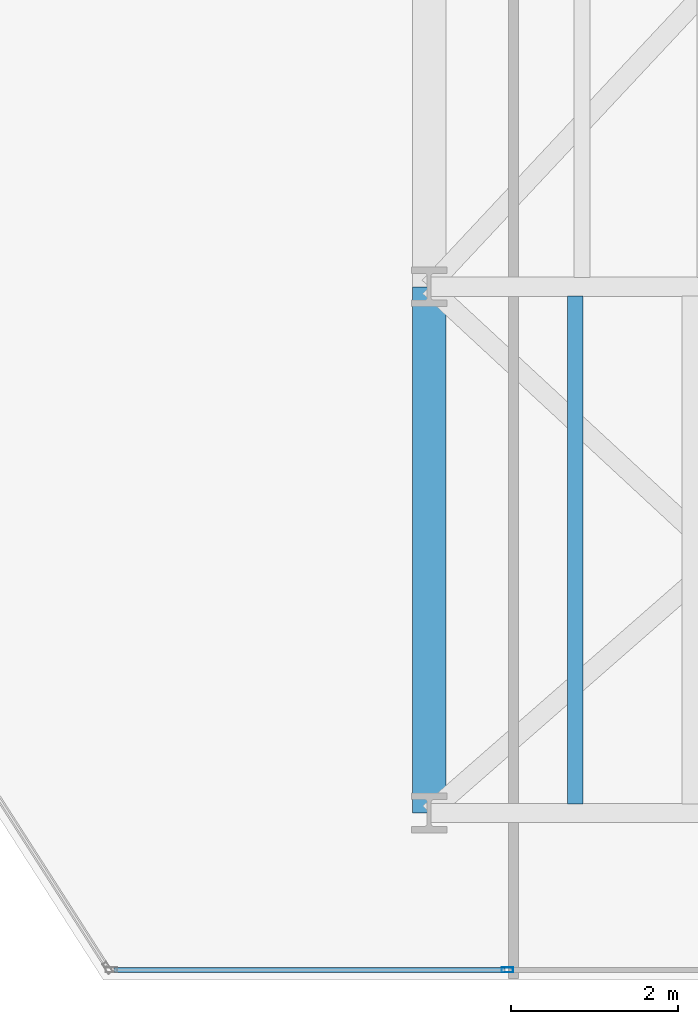
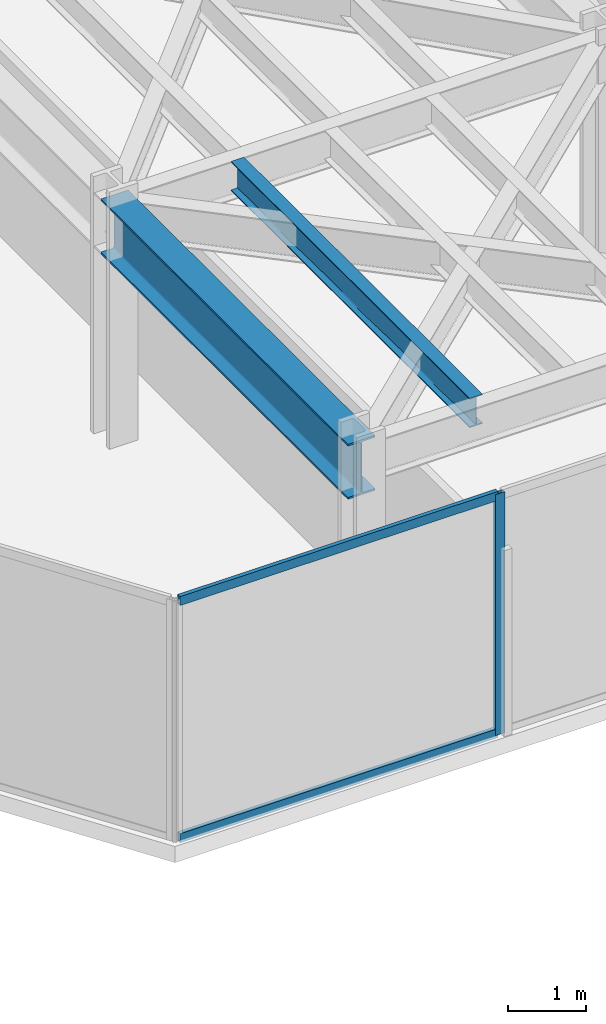
# One storey, part 16 of 26: 3 members, 2 beams, 1 element without a shape of its own.
"""IFC4 building model written with IfcOpenShell, lengths in metres."""

import ifcopenshell
import ifcopenshell.guid

model = None  # the IFC model being written
_history = None  # IfcOwnerHistory: only IFC2X3 demands one
_inside = {}  # id of a spatial element -> (the spatial element, [elements in it])
_under = {}  # id of a project, library or spatial element -> (it, [spatial elements below it])
_declared = {}  # id of a project -> (the project, [libraries it declares])
_typed = {}  # id of a type object -> (the type object, [elements of that type])
_made_of = {}  # id of a material, layer set ... -> (it, [elements and type objects made of it])


def new_model(schema):
    """Start an empty IFC model of exactly this schema.

    Asked for "IFC4X3", IfcOpenShell would pick the latest addendum, in which some entities
    have other attributes; the version numbers below select the first issue.
    IFC2X3 requires an IfcOwnerHistory on every rooted entity: one is made here for all.
    """
    global model, _history
    if schema == "IFC4X3":
        model = ifcopenshell.file(schema_version=(4, 3, 0, 0))
    else:
        model = ifcopenshell.file(schema=schema)
    _inside.clear()
    _under.clear()
    _declared.clear()
    _typed.clear()
    _made_of.clear()
    _history = None
    if model.schema == "IFC2X3":
        org = make("IfcOrganization", Name="unknown")
        user = make(
            "IfcPersonAndOrganization",
            ThePerson=make("IfcPerson", FamilyName="unknown"),
            TheOrganization=org,
        )
        app = make(
            "IfcApplication",
            ApplicationDeveloper=org,
            Version="unknown",
            ApplicationFullName="unknown",
            ApplicationIdentifier="unknown",
        )
        _history = make(
            "IfcOwnerHistory",
            OwningUser=user,
            OwningApplication=app,
            ChangeAction="ADDED",
            CreationDate=0,
        )
    return model


def make(cls, **values):
    """One entity of the class cls with the attributes given. An attribute that is None is left unset."""
    return model.create_entity(
        cls, **{name: value for name, value in values.items() if value is not None}
    )


def rooted(cls, **values):
    """An entity with a GlobalId (a new one), such as an element, a storey or a relation."""
    return make(cls, GlobalId=ifcopenshell.guid.new(), OwnerHistory=_history, **values)


def si_unit(unit_type, name, prefix=None):
    """IfcSIUnit, for example si_unit("LENGTHUNIT", "METRE", prefix="MILLI")."""
    return make("IfcSIUnit", UnitType=unit_type, Prefix=prefix, Name=name)


def assignment(units):
    """IfcUnitAssignment: the units of a project."""
    return None if units is None else make("IfcUnitAssignment", Units=units)


def point(xyz):
    """IfcCartesianPoint."""
    return None if xyz is None else make("IfcCartesianPoint", Coordinates=xyz)


def direction(xyz):
    """IfcDirection."""
    return None if xyz is None else make("IfcDirection", DirectionRatios=xyz)


def frame(location, z_axis=None, x_axis=None):
    """IfcAxis2Placement3D, a coordinate frame: its origin and axes. An axis left out is left unset."""
    return make(
        "IfcAxis2Placement3D",
        Location=point(location),
        Axis=direction(z_axis),
        RefDirection=direction(x_axis),
    )


def frame_2d(location, x_axis=None):
    """IfcAxis2Placement2D, a coordinate frame in the plane: its origin and x axis."""
    return make(
        "IfcAxis2Placement2D", Location=point(location), RefDirection=direction(x_axis)
    )


def origin():
    """The frame at (0, 0, 0) with its axes left unset."""
    return frame((0.0, 0.0, 0.0))


def origin_2d():
    """The frame at (0, 0) in the plane with its x axis left unset."""
    return frame_2d((0.0, 0.0))


def place(relative_to, where):
    """IfcLocalPlacement: puts the frame where relative to a parent placement (None: the world)."""
    return make(
        "IfcLocalPlacement", PlacementRelTo=relative_to, RelativePlacement=where
    )


def context(
    kind, dimensions, precision=None, world=None, true_north=None, identifier=None
):
    """IfcGeometricRepresentationContext, for example the 3D "Model" context."""
    return make(
        "IfcGeometricRepresentationContext",
        ContextIdentifier=identifier,
        ContextType=kind,
        CoordinateSpaceDimension=dimensions,
        Precision=precision,
        WorldCoordinateSystem=world,
        TrueNorth=true_north,
    )


def subcontext(parent, identifier, kind, view, scale=None):
    """IfcGeometricRepresentationSubContext, for example "Body" below "Model"."""
    return make(
        "IfcGeometricRepresentationSubContext",
        ContextIdentifier=identifier,
        ContextType=kind,
        ParentContext=parent,
        TargetScale=scale,
        TargetView=view,
    )


def project(units=None, contexts=None):
    """IfcProject with its units and contexts."""
    return rooted(
        "IfcProject",
        Name="project",
        RepresentationContexts=contexts,
        UnitsInContext=assignment(units),
    )


def spatial(cls, under=None, at=None, **own):
    """A site, building, storey or space (cls), placed at a placement, below another one or the project."""
    s = rooted(cls, ObjectPlacement=at, **own)
    if under is not None:
        _under.setdefault(under.id(), (under, []))[1].append(s)
    return s


def profile(cls, at=None, kind="AREA", **sizes):
    """A parametric profile (cls). Its sizes go by their IFC names, for example OverallWidth=200.0."""
    return make(cls, ProfileType=kind, Position=at, **sizes)


def hollow_rectangle(**sizes):
    """IfcRectangleHollowProfileDef."""
    return profile("IfcRectangleHollowProfileDef", **sizes)


def i_section(**sizes):
    """IfcIShapeProfileDef."""
    return profile("IfcIShapeProfileDef", **sizes)


def extrude(swept, where, along, depth):
    """IfcExtrudedAreaSolid: the profile swept, set in the frame where, extruded along a direction by depth."""
    return make(
        "IfcExtrudedAreaSolid",
        SweptArea=swept,
        Position=where,
        ExtrudedDirection=direction(along),
        Depth=depth,
    )


def shape(context_of_items, identifier, shape_type, items):
    """IfcShapeRepresentation: the items that make up one representation, for example the "Body"."""
    return make(
        "IfcShapeRepresentation",
        ContextOfItems=context_of_items,
        RepresentationIdentifier=identifier,
        RepresentationType=shape_type,
        Items=items,
    )


def material(Name=None, Category=None):
    """IfcMaterial."""
    return make("IfcMaterial", Name=Name, Category=Category)


def layer(
    of_material, thickness, ventilated=None, Name=None, Category=None, Priority=None
):
    """IfcMaterialLayer: one layer of a wall or slab, of a material (None: an air gap)."""
    return make(
        "IfcMaterialLayer",
        Material=of_material,
        LayerThickness=thickness,
        IsVentilated=ventilated,
        Name=Name,
        Category=Category,
        Priority=Priority,
    )


def layer_set(layers, Name=None):
    """IfcMaterialLayerSet."""
    return make("IfcMaterialLayerSet", MaterialLayers=layers, LayerSetName=Name)


def material_profile(
    of_material, cross_section, Name=None, Category=None, Priority=None
):
    """IfcMaterialProfile: a cross section and its material."""
    return make(
        "IfcMaterialProfile",
        Name=Name,
        Material=of_material,
        Profile=cross_section,
        Priority=Priority,
        Category=Category,
    )


def profile_set(profiles, Name=None, composite=None):
    """IfcMaterialProfileSet."""
    return make(
        "IfcMaterialProfileSet",
        Name=Name,
        MaterialProfiles=profiles,
        CompositeProfile=composite,
    )


def made_of(thing, what):
    """Note that an element or type object is made of a material, layer set ...; save() writes the relation."""
    if what is not None:
        _made_of.setdefault(what.id(), (what, []))[1].append(thing)
    return thing


def type_object(cls, material=None, **own):
    """A type object (cls), such as IfcWallType, which elements share."""
    return made_of(rooted(cls, **own), material)


def element(
    cls,
    number,
    at=None,
    inside=None,
    cuts=None,
    type_object=None,
    material=None,
    context=None,
    identifier="Body",
    shape_type=None,
    held_by="IfcProductDefinitionShape",
    body=None,
    shapes=None,
    **own,
):
    """One element of the class cls, such as IfcWall. Its Tag is "e" and its number.

    at: its placement. inside: the storey or other place that contains it. cuts: it is an
    opening in that element (IfcRelVoidsElement). A single representation is given by context,
    identifier, shape_type and body (its items); several are given by shapes. held_by: the class
    of the entity that holds the representations. save() writes the other relations.
    """
    e = rooted(cls, Tag="e%d" % number, ObjectPlacement=at, **own)
    if body is not None:
        shapes = [shape(context, identifier, shape_type, body)]
    if shapes is not None:
        e.Representation = make(held_by, Representations=shapes)
    if inside is not None:
        _inside.setdefault(inside.id(), (inside, []))[1].append(e)
    if cuts is not None:
        rooted(
            "IfcRelVoidsElement", RelatingBuildingElement=cuts, RelatedOpeningElement=e
        )
    if type_object is not None:
        _typed.setdefault(type_object.id(), (type_object, []))[1].append(e)
    return made_of(e, material)


def aggregate(whole, parts):
    """IfcRelAggregates: a whole, such as a stair, and the parts it consists of."""
    return rooted("IfcRelAggregates", RelatingObject=whole, RelatedObjects=parts)


def save(model, path):
    """Write the relations noted so far, then the file.

    IfcRelAggregates (storeys below a building ...), IfcRelContainedInSpatialStructure (elements
    in a storey), IfcRelDefinesByType, IfcRelAssociatesMaterial and IfcRelDeclares: one each for
    every whole, place, type object, material and project.
    """
    for whole, parts in _under.values():
        aggregate(whole, parts)
    for where, things in _inside.values():
        rooted(
            "IfcRelContainedInSpatialStructure",
            RelatedElements=things,
            RelatingStructure=where,
        )
    for kind, things in _typed.values():
        rooted("IfcRelDefinesByType", RelatedObjects=things, RelatingType=kind)
    for what, things in _made_of.values():
        rooted("IfcRelAssociatesMaterial", RelatedObjects=things, RelatingMaterial=what)
    for by, libraries in _declared.values():
        rooted("IfcRelDeclares", RelatingContext=by, RelatedDefinitions=libraries)
    model.write(path)


model = new_model("IFC4")

# Units and contexts
model_context = context("Model", 3, precision=1e-05, world=origin(), true_north=direction((0.0, 1.0)))
body_context = subcontext(model_context, "Body", "Model", "MODEL_VIEW")
ifc_project = project(units=[si_unit("LENGTHUNIT", "METRE"), si_unit("AREAUNIT", "SQUARE_METRE"), si_unit("VOLUMEUNIT", "CUBIC_METRE"), si_unit("PLANEANGLEUNIT", "RADIAN"), si_unit("MASSUNIT", "GRAM", prefix="KILO")], contexts=[model_context])

# Site, building, storey
site_placement = place(None, origin())
site = spatial("IfcSite", under=ifc_project, at=site_placement, CompositionType="ELEMENT")
building_placement = place(site_placement, origin())
building = spatial("IfcBuilding", under=site, at=building_placement, Name="Kravanh Interchange Tower", CompositionType="ELEMENT")
storey_placement = place(building_placement, frame((0.0, 0.0, 116.0)))
storey = spatial("IfcBuildingStorey", under=building, at=storey_placement, Name="L27", CompositionType="ELEMENT", Elevation=116.0)

# Curtain wall, members
ifc_material_1 = material(Name="Anodised Bronze Aluminium", Category="aluminium")
ifc_layer = layer(ifc_material_1, 0.179931640625)
ifc_layer_set = layer_set([ifc_layer], Name="Unitised Curtain Wall System CW-Z2 Mid Office")
curtain_wall_type = type_object("IfcCurtainWallType", Name="Unitised Curtain Wall System CW-Z2 Mid Office", PredefinedType="NOTDEFINED", material=ifc_layer_set)
curtain_wall_placement = place(storey_placement, origin())
curtain_wall = element("IfcCurtainWall", 1, at=curtain_wall_placement, inside=storey, type_object=curtain_wall_type, Name="L27 Unitised Curtain Wall CW-L27-03", PredefinedType="NOTDEFINED")
ifc_material_2 = material(Name="Anodised Bronze Aluminium", Category="aluminium")
ifc_material_profile_1 = material_profile(ifc_material_2, hollow_rectangle(XDim=0.06005859375, YDim=0.139892578125, WallThickness=0.00390625, at=origin_2d()), Name="ALU60X140X4")
ifc_profile_set_1 = profile_set([ifc_material_profile_1], Name="Anodised Bronze Aluminium")
member_type_1 = type_object("IfcMemberType", Name="Curtain Wall Mullion ALU60X140X4 Bronze", PredefinedType="MULLION", material=ifc_profile_set_1)
member_1_placement = place(storey_placement, frame((56.93798828125, 6.320068359375, 0.0), z_axis=(0.0, 0.0, 1.0), x_axis=(0.0, -1.0, 0.0)))
member_1 = element("IfcMember", 2, at=member_1_placement, type_object=member_type_1, Name="CW-Z2 mullion 2", PredefinedType="MULLION", context=body_context, shape_type="SweptSolid", body=[
    extrude(hollow_rectangle(XDim=0.06005859375, YDim=0.139892578125, WallThickness=0.00390625, at=origin_2d()), origin(), (0.0, 0.0, 1.0), 3.75),
])
ifc_material_3 = material(Name="Anodised Bronze Aluminium", Category="aluminium")
ifc_material_profile_2 = material_profile(ifc_material_3, hollow_rectangle(XDim=0.06005859375, YDim=0.139892578125, WallThickness=0.00390625, at=origin_2d()), Name="ALU60X140X4")
ifc_profile_set_2 = profile_set([ifc_material_profile_2], Name="Anodised Bronze Aluminium")
member_type_2 = type_object("IfcMemberType", Name="Curtain Wall Transom ALU60X140X4 Bronze", PredefinedType="USERDEFINED", material=ifc_profile_set_2)
member_2_placement = place(storey_placement, frame((56.907958984375, 6.320068359375, 0.030029296875), z_axis=(-1.0, 0.0, 0.0), x_axis=(0.0, -1.0, 0.0)))
member_2 = element("IfcMember", 3, at=member_2_placement, type_object=member_type_2, Name="CW-Z2 transom 2.1", ObjectType="TRANSOM", PredefinedType="USERDEFINED", context=body_context, shape_type="SweptSolid", body=[
    extrude(hollow_rectangle(XDim=0.06005859375, YDim=0.139892578125, WallThickness=0.00390625, at=origin_2d()), origin(), (0.0, 0.0, 1.0), 4.682373046875),
])
member_3_placement = place(storey_placement, frame((56.907958984375, 6.320068359375, 3.719970703125), z_axis=(-1.0, 0.0, 0.0), x_axis=(0.0, -1.0, 0.0)))
member_3 = element("IfcMember", 4, at=member_3_placement, type_object=member_type_2, Name="CW-Z2 transom 2.2", ObjectType="TRANSOM", PredefinedType="USERDEFINED", context=body_context, shape_type="SweptSolid", body=[
    extrude(hollow_rectangle(XDim=0.06005859375, YDim=0.139892578125, WallThickness=0.00390625, at=origin_2d()), origin(), (0.0, 0.0, 1.0), 4.682373046875),
])
aggregate(curtain_wall, [member_1, member_2, member_3])

# Beams
ifc_material_4 = material(Name="Structural Steel S355", Category="steel")
ifc_material_profile_3 = material_profile(ifc_material_4, i_section(OverallWidth=0.39990234375, OverallDepth=0.85595703125, WebThickness=0.018310546875, FlangeThickness=0.029296875, FilletRadius=0.02490234375, at=origin_2d()), Name="W33X201")
ifc_profile_set_3 = profile_set([ifc_material_profile_3], Name="Structural Steel S355")
beam_type_1 = type_object("IfcBeamType", Name="Floor Beam W33X201 Structural Steel S355", PredefinedType="BEAM", material=ifc_profile_set_3)
beam_1_placement = place(storey_placement, frame((56.0, 8.199951171875, 3.322021484375), z_axis=(0.0, 1.0, 0.0), x_axis=(-1.0, 0.0, 0.0)))
element("IfcBeam", 5, at=beam_1_placement, inside=storey, type_object=beam_type_1, Name="L27 Primary Floor Girder 95", PredefinedType="BEAM", context=body_context, shape_type="SweptSolid", body=[
    extrude(i_section(OverallWidth=0.39990234375, OverallDepth=0.85595703125, WebThickness=0.018310546875, FlangeThickness=0.029296875, FilletRadius=0.02490234375, at=origin_2d()), origin(), (0.0, 0.0, 1.0), 6.300048828125),
])
ifc_material_5 = material(Name="Structural Steel S355", Category="steel")
ifc_material_profile_4 = material_profile(ifc_material_5, i_section(OverallWidth=0.18994140625, OverallDepth=0.45703125, WebThickness=0.009033203125, FlangeThickness=0.014404296875, FilletRadius=0.01806640625, at=origin_2d()), Name="W18X50")
ifc_profile_set_4 = profile_set([ifc_material_profile_4], Name="Structural Steel S355")
beam_type_2 = type_object("IfcBeamType", Name="Floor Joist W18X50 Structural Steel S355", PredefinedType="JOIST", material=ifc_profile_set_4)
beam_2_placement = place(storey_placement, frame((57.75, 8.30908203125, 3.521484375), z_axis=(0.0, 1.0, 0.0), x_axis=(-1.0, 0.0, 0.0)))
element("IfcBeam", 6, at=beam_2_placement, inside=storey, type_object=beam_type_2, Name="L27 Secondary Floor Joist 4", PredefinedType="JOIST", context=body_context, shape_type="SweptSolid", body=[
    extrude(i_section(OverallWidth=0.18994140625, OverallDepth=0.45703125, WebThickness=0.009033203125, FlangeThickness=0.014404296875, FilletRadius=0.01806640625, at=origin_2d()), origin(), (0.0, 0.0, 1.0), 6.08203125),
])

save(model, "model.ifc")
